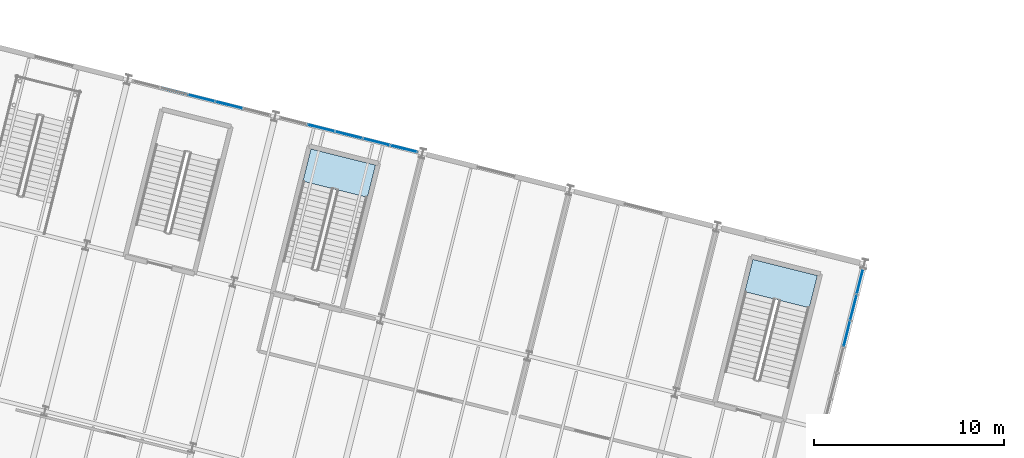
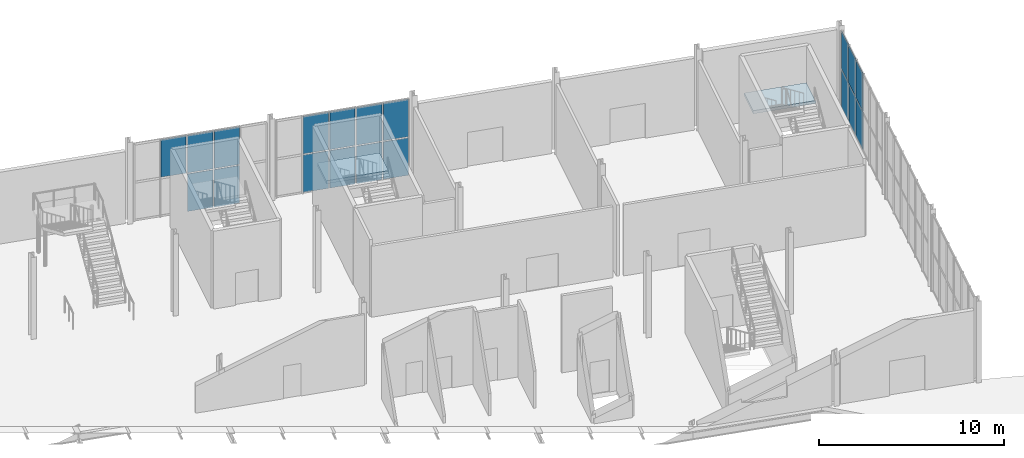
# One storey, part 116 of 158: 19 plates, 2 slabs, 5 elements without a shape of their own.
"""IFC4 building model written with IfcOpenShell, lengths in metres."""

from ifc_helpers import new_model, si_unit, derived_unit, direction, frame, origin, origin_2d, place, context, subcontext, project, spatial, polyline, rectangle, outline, extrude, material, layer, layer_set, type_object, element, aggregate, save


model = new_model("IFC4")

# Units and contexts
model_context = context("Model", 3, precision=1e-05, world=origin(), true_north=direction((0.0, 1.0)))
body_context = subcontext(model_context, "Body", "Model", "MODEL_VIEW")
ifc_project = project(units=[si_unit("LENGTHUNIT", "METRE"), si_unit("AREAUNIT", "SQUARE_METRE"), si_unit("VOLUMEUNIT", "CUBIC_METRE"), si_unit("PLANEANGLEUNIT", "RADIAN"), si_unit("MASSUNIT", "GRAM", prefix="KILO"), si_unit("THERMODYNAMICTEMPERATUREUNIT", "KELVIN"), si_unit("TIMEUNIT", "SECOND"), derived_unit("THERMALTRANSMITTANCEUNIT", [(si_unit("MASSUNIT", "GRAM", prefix="KILO"), 1), (si_unit("THERMODYNAMICTEMPERATUREUNIT", "KELVIN"), -1), (si_unit("TIMEUNIT", "SECOND"), -3)])], contexts=[model_context])

# Site, building, storey
site_placement = place(None, origin())
site = spatial("IfcSite", under=ifc_project, at=site_placement, CompositionType="ELEMENT")
building_placement = place(site_placement, origin())
building = spatial("IfcBuilding", under=site, at=building_placement, Name="Cambertide Market Hall", CompositionType="ELEMENT")
storey_placement = place(building_placement, origin())
storey = spatial("IfcBuildingStorey", under=building, at=storey_placement, Name="L01", CompositionType="ELEMENT", Elevation=0.0)

# Stair, slab
ifc_material_1 = material(Name="Concrete B35", Category="concrete")
stair_type_1 = type_object("IfcStairType", Name="Concrete Dogleg Stair ST-08B", PredefinedType="HALF_TURN_STAIR", material=ifc_material_1)
stair_1_placement = place(storey_placement, origin())
stair_1 = element("IfcStair", 1, at=stair_1_placement, inside=storey, type_object=stair_type_1, Name="Level 1 Exit Stair Core 08B", PredefinedType="HALF_TURN_STAIR")
ifc_material_2 = material(Name="Concrete B35", Category="concrete")
ifc_layer_1 = layer(ifc_material_2, 0.199951171875, Name="Concrete Stair Half-Landing 200")
ifc_layer_set_1 = layer_set([ifc_layer_1], Name="Concrete B35")
slab_type = type_object("IfcSlabType", Name="Concrete Stair Half-Landing 200", PredefinedType="LANDING", material=ifc_layer_set_1)
slab_1_placement = place(storey_placement, frame((0.0, 0.0, 2.5)))
slab_1 = element("IfcSlab", 2, at=slab_1_placement, type_object=slab_type, Name="ST-08B landing 1", PredefinedType="LANDING", context=body_context, shape_type="SweptSolid", body=[
    extrude(outline(polyline([(173.73828125, 108.3515625), (174.163818359375, 110.05322265625), (170.768310546875, 110.90185546875), (170.3427734375, 109.200439453125), (173.73828125, 108.3515625)])), origin(), (0.0, 0.0, 1.0), 0.199951171875),
])
aggregate(stair_1, [slab_1])

ifc_material_3 = material(Name="Concrete B35", Category="concrete")
stair_type_2 = type_object("IfcStairType", Name="Concrete Dogleg Stair ST-09", PredefinedType="HALF_TURN_STAIR", material=ifc_material_3)
stair_2_placement = place(storey_placement, origin())
stair_2 = element("IfcStair", 3, at=stair_2_placement, inside=storey, type_object=stair_type_2, Name="Level 1 Exit Stair Core 09", PredefinedType="HALF_TURN_STAIR")
slab_2_placement = place(storey_placement, frame((0.0, 0.0, 2.5)))
slab_2 = element("IfcSlab", 4, at=slab_2_placement, type_object=slab_type, Name="ST-09 landing 1", PredefinedType="LANDING", context=body_context, shape_type="SweptSolid", body=[
    extrude(outline(polyline([(150.454833984375, 114.17236328125), (150.88037109375, 115.8740234375), (147.48486328125, 116.722900390625), (147.059326171875, 115.021240234375), (150.454833984375, 114.17236328125)])), origin(), (0.0, 0.0, 1.0), 0.199951171875),
])
aggregate(stair_2, [slab_2])

# Curtain wall, plates
ifc_material_4 = material(Name="Marine Anodized Aluminium 6063-T6 AA25", Category="aluminium")
curtain_wall_type = type_object("IfcCurtainWallType", Name="Cooking School Ground Showcase Wall", PredefinedType="USERDEFINED", material=ifc_material_4)
curtain_wall_1_placement = place(storey_placement, origin())
curtain_wall_1 = element("IfcCurtainWall", 5, at=curtain_wall_1_placement, inside=storey, type_object=curtain_wall_type, Name="Level 1 Curtain Wall CW-V4N-L01-4", ObjectType="UNITIZED CURTAIN WALL", PredefinedType="USERDEFINED")
ifc_material_5 = material(Name="Champagne Marine Anodized Aluminium 6063-T6 AA25", Category="aluminium")
ifc_layer_2 = layer(ifc_material_5, 0.0419921875, Name="Insulated Aluminium Spandrel Panel 42")
ifc_layer_set_2 = layer_set([ifc_layer_2], Name="Champagne Marine Anodized Aluminium 6063-T6 AA25")
plate_type_1 = type_object("IfcPlateType", Name="Insulated Aluminium Spandrel Panel 42", PredefinedType="CURTAIN_PANEL", material=ifc_layer_set_2)
plate_1_placement = place(storey_placement, frame((140.25341796875, 119.767578125, 2.58984375), z_axis=(0.0, 0.0, 1.0), x_axis=(0.970142500145, -0.242535625038, 0.0)))
plate_1 = element("IfcPlate", 6, at=plate_1_placement, type_object=plate_type_1, Name="CW-V4N-L01-4 Glazing Panel 2-2", PredefinedType="CURTAIN_PANEL", context=body_context, shape_type="SweptSolid", body=[
    extrude(rectangle(XDim=1.424072265625, YDim=0.0419921875, at=origin_2d()), origin(), (0.0, 0.0, 1.0), 2.469970703125),
])
plate_2_placement = place(storey_placement, frame((141.71240234375, 119.40283203125, 2.58984375), z_axis=(0.0, 0.0, 1.0), x_axis=(0.970142500145, -0.242535625038, 0.0)))
plate_2 = element("IfcPlate", 7, at=plate_2_placement, type_object=plate_type_1, Name="CW-V4N-L01-4 Glazing Panel 2-3", PredefinedType="CURTAIN_PANEL", context=body_context, shape_type="SweptSolid", body=[
    extrude(rectangle(XDim=1.424072265625, YDim=0.0419921875, at=origin_2d()), origin(), (0.0, 0.0, 1.0), 2.469970703125),
])
plate_3_placement = place(storey_placement, frame((143.171630859375, 119.0380859375, 2.58984375), z_axis=(0.0, 0.0, 1.0), x_axis=(0.970142500145, -0.242535625038, 0.0)))
plate_3 = element("IfcPlate", 8, at=plate_3_placement, type_object=plate_type_1, Name="CW-V4N-L01-4 Glazing Panel 2-4", PredefinedType="CURTAIN_PANEL", context=body_context, shape_type="SweptSolid", body=[
    extrude(rectangle(XDim=1.424072265625, YDim=0.0419921875, at=origin_2d()), origin(), (0.0, 0.0, 1.0), 2.469970703125),
])

curtain_wall_2_placement = place(storey_placement, origin())
curtain_wall_2 = element("IfcCurtainWall", 9, at=curtain_wall_2_placement, inside=storey, type_object=curtain_wall_type, Name="Level 1 Curtain Wall CW-V4N-L01-5", ObjectType="UNITIZED CURTAIN WALL", PredefinedType="USERDEFINED")
plate_4_placement = place(storey_placement, frame((148.014404296875, 117.827392578125, 2.58984375), z_axis=(0.0, 0.0, 1.0), x_axis=(0.970142500145, -0.242535625038, 0.0)))
plate_4 = element("IfcPlate", 10, at=plate_4_placement, type_object=plate_type_1, Name="CW-V4N-L01-5 Glazing Panel 2-2", PredefinedType="CURTAIN_PANEL", context=body_context, shape_type="SweptSolid", body=[
    extrude(rectangle(XDim=1.424072265625, YDim=0.0419921875, at=origin_2d()), origin(), (0.0, 0.0, 1.0), 2.469970703125),
])
plate_5_placement = place(storey_placement, frame((149.4736328125, 117.462646484375, 2.58984375), z_axis=(0.0, 0.0, 1.0), x_axis=(0.970142500145, -0.242535625038, 0.0)))
plate_5 = element("IfcPlate", 11, at=plate_5_placement, type_object=plate_type_1, Name="CW-V4N-L01-5 Glazing Panel 2-3", PredefinedType="CURTAIN_PANEL", context=body_context, shape_type="SweptSolid", body=[
    extrude(rectangle(XDim=1.424072265625, YDim=0.0419921875, at=origin_2d()), origin(), (0.0, 0.0, 1.0), 2.469970703125),
])
plate_6_placement = place(storey_placement, frame((150.9326171875, 117.097900390625, 2.58984375), z_axis=(0.0, 0.0, 1.0), x_axis=(0.970142500145, -0.242535625038, 0.0)))
plate_6 = element("IfcPlate", 12, at=plate_6_placement, type_object=plate_type_1, Name="CW-V4N-L01-5 Glazing Panel 2-4", PredefinedType="CURTAIN_PANEL", context=body_context, shape_type="SweptSolid", body=[
    extrude(rectangle(XDim=1.424072265625, YDim=0.0419921875, at=origin_2d()), origin(), (0.0, 0.0, 1.0), 2.469970703125),
])
plate_7_placement = place(storey_placement, frame((152.391845703125, 116.73291015625, 2.58984375), z_axis=(0.0, 0.0, 1.0), x_axis=(0.970142500145, -0.242535625038, 0.0)))
plate_7 = element("IfcPlate", 13, at=plate_7_placement, type_object=plate_type_1, Name="CW-V4N-L01-5 Glazing Panel 2-5", PredefinedType="CURTAIN_PANEL", context=body_context, shape_type="SweptSolid", body=[
    extrude(rectangle(XDim=1.424072265625, YDim=0.0419921875, at=origin_2d()), origin(), (0.0, 0.0, 1.0), 2.469970703125),
])

curtain_wall_3_placement = place(storey_placement, origin())
curtain_wall_3 = element("IfcCurtainWall", 14, at=curtain_wall_3_placement, inside=storey, type_object=curtain_wall_type, Name="Level 1 Curtain Wall CW-V4E-L01-3", ObjectType="UNITIZED CURTAIN WALL", PredefinedType="USERDEFINED")
plate_8_placement = place(storey_placement, frame((176.4072265625, 109.75, 2.58984375), z_axis=(0.0, 0.0, 1.0), x_axis=(-0.242535569805, -0.970142513953, 0.0)))
plate_8 = element("IfcPlate", 15, at=plate_8_placement, type_object=plate_type_1, Name="CW-V4E-L01-3 Glazing Panel 2-1", PredefinedType="CURTAIN_PANEL", context=body_context, shape_type="SweptSolid", body=[
    extrude(rectangle(XDim=1.340087890625, YDim=0.0419921875, at=origin_2d()), origin(), (0.0, 0.0, 1.0), 2.469970703125),
])
plate_9_placement = place(storey_placement, frame((176.062744140625, 108.372314453125, 2.58984375), z_axis=(0.0, 0.0, 1.0), x_axis=(-0.242535569805, -0.970142513953, 0.0)))
plate_9 = element("IfcPlate", 16, at=plate_9_placement, type_object=plate_type_1, Name="CW-V4E-L01-3 Glazing Panel 2-2", PredefinedType="CURTAIN_PANEL", context=body_context, shape_type="SweptSolid", body=[
    extrude(rectangle(XDim=1.340087890625, YDim=0.0419921875, at=origin_2d()), origin(), (0.0, 0.0, 1.0), 2.469970703125),
])
plate_10_placement = place(storey_placement, frame((175.71826171875, 106.99462890625, 2.58984375), z_axis=(0.0, 0.0, 1.0), x_axis=(-0.242535569805, -0.970142513953, 0.0)))
plate_10 = element("IfcPlate", 17, at=plate_10_placement, type_object=plate_type_1, Name="CW-V4E-L01-3 Glazing Panel 2-3", PredefinedType="CURTAIN_PANEL", context=body_context, shape_type="SweptSolid", body=[
    extrude(rectangle(XDim=1.340087890625, YDim=0.0419921875, at=origin_2d()), origin(), (0.0, 0.0, 1.0), 2.469970703125),
])

# Plate
ifc_material_6 = material(Name="Low-E Laminated Insulated Glass", Category="glass")
ifc_layer_3 = layer(ifc_material_6, 0.028076171875, Name="Vision Insulated Glazing Panel 28")
ifc_layer_set_3 = layer_set([ifc_layer_3], Name="Low-E Laminated Insulated Glass")
plate_type_2 = type_object("IfcPlateType", Name="Vision Insulated Glazing Panel 28", PredefinedType="CURTAIN_PANEL", material=ifc_layer_set_3)
plate_11_placement = place(storey_placement, frame((141.71240234375, 119.40283203125, 0.0400390625), z_axis=(0.0, 0.0, 1.0), x_axis=(0.970142500145, -0.242535625038, 0.0)))
plate_11 = element("IfcPlate", 18, at=plate_11_placement, type_object=plate_type_2, Name="CW-V4N-L01-4 Glazing Panel 1-3", PredefinedType="CURTAIN_PANEL", context=body_context, shape_type="SweptSolid", body=[
    extrude(rectangle(XDim=1.424072265625, YDim=0.028076171875, at=origin_2d()), origin(), (0.0, 0.0, 1.0), 2.469970703125),
])

plate_12_placement = place(storey_placement, frame((143.171630859375, 119.0380859375, 0.0400390625), z_axis=(0.0, 0.0, 1.0), x_axis=(0.970142500145, -0.242535625038, 0.0)))
plate_12 = element("IfcPlate", 19, at=plate_12_placement, type_object=plate_type_2, Name="CW-V4N-L01-4 Glazing Panel 1-4", PredefinedType="CURTAIN_PANEL", context=body_context, shape_type="SweptSolid", body=[
    extrude(rectangle(XDim=1.424072265625, YDim=0.028076171875, at=origin_2d()), origin(), (0.0, 0.0, 1.0), 2.469970703125),
])

aggregate(curtain_wall_1, [plate_11, plate_12, plate_1, plate_2, plate_3])

plate_13_placement = place(storey_placement, frame((148.014404296875, 117.827392578125, 0.0400390625), z_axis=(0.0, 0.0, 1.0), x_axis=(0.970142500145, -0.242535625038, 0.0)))
plate_13 = element("IfcPlate", 20, at=plate_13_placement, type_object=plate_type_2, Name="CW-V4N-L01-5 Glazing Panel 1-2", PredefinedType="CURTAIN_PANEL", context=body_context, shape_type="SweptSolid", body=[
    extrude(rectangle(XDim=1.424072265625, YDim=0.028076171875, at=origin_2d()), origin(), (0.0, 0.0, 1.0), 2.469970703125),
])

plate_14_placement = place(storey_placement, frame((149.4736328125, 117.462646484375, 0.0400390625), z_axis=(0.0, 0.0, 1.0), x_axis=(0.970142500145, -0.242535625038, 0.0)))
plate_14 = element("IfcPlate", 21, at=plate_14_placement, type_object=plate_type_2, Name="CW-V4N-L01-5 Glazing Panel 1-3", PredefinedType="CURTAIN_PANEL", context=body_context, shape_type="SweptSolid", body=[
    extrude(rectangle(XDim=1.424072265625, YDim=0.028076171875, at=origin_2d()), origin(), (0.0, 0.0, 1.0), 2.469970703125),
])

plate_15_placement = place(storey_placement, frame((150.9326171875, 117.097900390625, 0.0400390625), z_axis=(0.0, 0.0, 1.0), x_axis=(0.970142500145, -0.242535625038, 0.0)))
plate_15 = element("IfcPlate", 22, at=plate_15_placement, type_object=plate_type_2, Name="CW-V4N-L01-5 Glazing Panel 1-4", PredefinedType="CURTAIN_PANEL", context=body_context, shape_type="SweptSolid", body=[
    extrude(rectangle(XDim=1.424072265625, YDim=0.028076171875, at=origin_2d()), origin(), (0.0, 0.0, 1.0), 2.469970703125),
])

plate_16_placement = place(storey_placement, frame((152.391845703125, 116.73291015625, 0.0400390625), z_axis=(0.0, 0.0, 1.0), x_axis=(0.970142500145, -0.242535625038, 0.0)))
plate_16 = element("IfcPlate", 23, at=plate_16_placement, type_object=plate_type_2, Name="CW-V4N-L01-5 Glazing Panel 1-5", PredefinedType="CURTAIN_PANEL", context=body_context, shape_type="SweptSolid", body=[
    extrude(rectangle(XDim=1.424072265625, YDim=0.028076171875, at=origin_2d()), origin(), (0.0, 0.0, 1.0), 2.469970703125),
])

aggregate(curtain_wall_2, [plate_13, plate_14, plate_15, plate_16, plate_4, plate_5, plate_6, plate_7])

plate_17_placement = place(storey_placement, frame((176.4072265625, 109.75, 0.0400390625), z_axis=(0.0, 0.0, 1.0), x_axis=(-0.242535569805, -0.970142513953, 0.0)))
plate_17 = element("IfcPlate", 24, at=plate_17_placement, type_object=plate_type_2, Name="CW-V4E-L01-3 Glazing Panel 1-1", PredefinedType="CURTAIN_PANEL", context=body_context, shape_type="SweptSolid", body=[
    extrude(rectangle(XDim=1.340087890625, YDim=0.028076171875, at=origin_2d()), origin(), (0.0, 0.0, 1.0), 2.469970703125),
])

plate_18_placement = place(storey_placement, frame((176.062744140625, 108.372314453125, 0.0400390625), z_axis=(0.0, 0.0, 1.0), x_axis=(-0.242535569805, -0.970142513953, 0.0)))
plate_18 = element("IfcPlate", 25, at=plate_18_placement, type_object=plate_type_2, Name="CW-V4E-L01-3 Glazing Panel 1-2", PredefinedType="CURTAIN_PANEL", context=body_context, shape_type="SweptSolid", body=[
    extrude(rectangle(XDim=1.340087890625, YDim=0.028076171875, at=origin_2d()), origin(), (0.0, 0.0, 1.0), 2.469970703125),
])

plate_19_placement = place(storey_placement, frame((175.71826171875, 106.99462890625, 0.0400390625), z_axis=(0.0, 0.0, 1.0), x_axis=(-0.242535569805, -0.970142513953, 0.0)))
plate_19 = element("IfcPlate", 26, at=plate_19_placement, type_object=plate_type_2, Name="CW-V4E-L01-3 Glazing Panel 1-3", PredefinedType="CURTAIN_PANEL", context=body_context, shape_type="SweptSolid", body=[
    extrude(rectangle(XDim=1.340087890625, YDim=0.028076171875, at=origin_2d()), origin(), (0.0, 0.0, 1.0), 2.469970703125),
])

aggregate(curtain_wall_3, [plate_17, plate_18, plate_19, plate_8, plate_9, plate_10])

save(model, "model.ifc")
